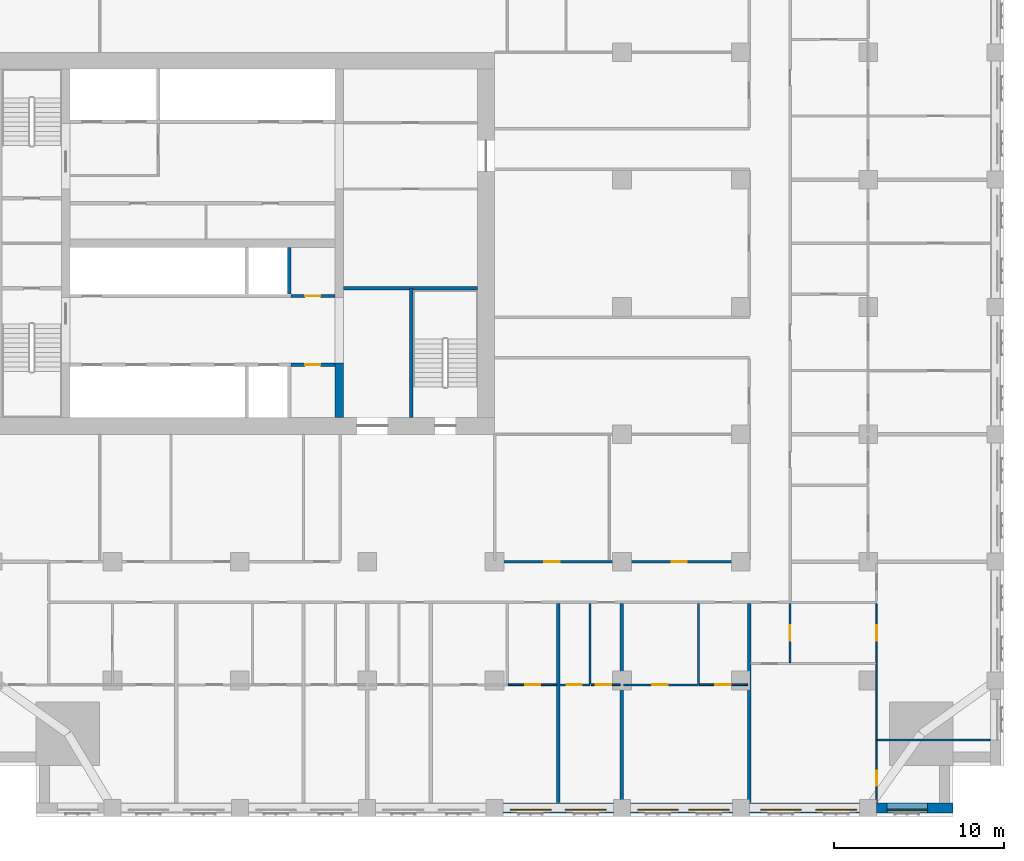
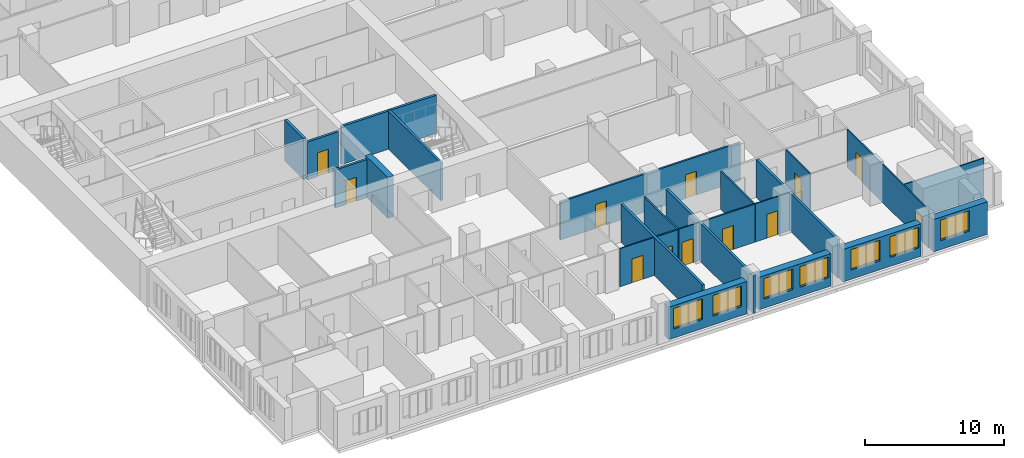
# One storey, part 6 of 14: 24 walls, 12 doors, 7 windows, 19 openings.
"""IFC4 building model written with IfcOpenShell, lengths in metres."""

from ifc_helpers import new_model, si_unit, direction, frame, frame_2d, origin, place, context, subcontext, project, spatial, rectangle, extrude, material, layer, layer_set, type_object, element, fill, save


model = new_model("IFC4")

# Units and contexts
model_context = context("Model", 3, precision=1e-05, world=origin(), true_north=direction((0.0, 1.0)))
body_context = subcontext(model_context, "Body", "Model", "MODEL_VIEW")
ifc_project = project(units=[si_unit("LENGTHUNIT", "METRE"), si_unit("AREAUNIT", "SQUARE_METRE"), si_unit("VOLUMEUNIT", "CUBIC_METRE"), si_unit("PLANEANGLEUNIT", "RADIAN"), si_unit("MASSUNIT", "GRAM", prefix="KILO")], contexts=[model_context])

# Site, building, storey
site_placement = place(None, origin())
site = spatial("IfcSite", under=ifc_project, at=site_placement, CompositionType="ELEMENT")
building_placement = place(site_placement, origin())
building = spatial("IfcBuilding", under=site, at=building_placement, Name="Tamorin Gate", CompositionType="ELEMENT")
storey_placement = place(building_placement, frame((0.0, 0.0, 104.300048828125)))
storey = spatial("IfcBuildingStorey", under=building, at=storey_placement, Name="L25", CompositionType="ELEMENT", Elevation=104.300048828125)

# Wall, openings, windows
ifc_material_1 = material(Name="Precast concrete C40/50", Category="concrete")
ifc_layer_1 = layer(ifc_material_1, 0.60009765625)
ifc_layer_set_1 = layer_set([ifc_layer_1], Name="Precast concrete C40/50")
wall_type_1 = type_object("IfcWallType", Name="Board-marked concrete facade panel 600", PredefinedType="SOLIDWALL", material=ifc_layer_set_1)
wall_1_placement = place(storey_placement, frame((60.5, 38.0, 0.0), z_axis=(0.0, 0.0, 1.0), x_axis=(1.0, 0.0, 0.0)))
wall_1 = element("IfcWall", 1, at=wall_1_placement, inside=storey, type_object=wall_type_1, Name="Facade panel", PredefinedType="SOLIDWALL", context=body_context, shape_type="SweptSolid", body=[
    extrude(rectangle(XDim=6.5, YDim=0.60009765625, at=frame_2d((3.25, 0.0))), origin(), (0.0, 0.0, 1.0), 2.849853515625),
])
opening_1_placement = place(wall_1_placement, frame((0.425048828125, 0.0, 0.800048828125)))
opening_1 = element("IfcOpeningElement", 2, at=opening_1_placement, cuts=wall_1, Name="Opening WN1", PredefinedType="OPENING", context=body_context, shape_type="SweptSolid", body=[
    extrude(rectangle(XDim=2.39990234375, YDim=1.800048828125, at=frame_2d((1.199951171875, 0.89990234375))), frame((0.0, 0.31005859375, 0.0), z_axis=(0.0, -1.0, 0.0), x_axis=(1.0, 0.0, 0.0)), (0.0, 0.0, 1.0), 0.6201171875),
])
opening_2_placement = place(wall_1_placement, frame((3.675048828125, 0.0, 0.800048828125)))
opening_2 = element("IfcOpeningElement", 3, at=opening_2_placement, cuts=wall_1, Name="Opening WN1", PredefinedType="OPENING", context=body_context, shape_type="SweptSolid", body=[
    extrude(rectangle(XDim=2.39990234375, YDim=1.800048828125, at=frame_2d((1.199951171875, 0.89990234375))), frame((0.0, 0.31005859375, 0.0), z_axis=(0.0, -1.0, 0.0), x_axis=(1.0, 0.0, 0.0)), (0.0, 0.0, 1.0), 0.6201171875),
])
ifc_material_2 = material(Name="Clear glass in aluminium frame", Category="aluminium")
window_type = type_object("IfcWindowType", Name="Deep-set window 2400x1800", PartitioningType="SINGLE_PANEL", PredefinedType="WINDOW", material=ifc_material_2)
window_1_placement = place(opening_1_placement, origin())
window_1 = element("IfcWindow", 4, at=window_1_placement, inside=storey, type_object=window_type, Name="Deep-set window", OverallHeight=1.800048828125, OverallWidth=2.39990234375, PartitioningType="SINGLE_PANEL", PredefinedType="WINDOW", context=body_context, shape_type="SweptSolid", body=[
    extrude(rectangle(XDim=2.39990234375, YDim=1.800048828125, at=frame_2d((1.199951171875, 0.89990234375))), frame((0.0, -0.070068359375, 0.0), z_axis=(0.0, -1.0, 0.0), x_axis=(1.0, 0.0, 0.0)), (0.0, 0.0, 1.0), 0.06005859375),
])
fill(opening_1, window_1)
window_2_placement = place(opening_2_placement, origin())
window_2 = element("IfcWindow", 5, at=window_2_placement, inside=storey, type_object=window_type, Name="Deep-set window", OverallHeight=1.800048828125, OverallWidth=2.39990234375, PartitioningType="SINGLE_PANEL", PredefinedType="WINDOW", context=body_context, shape_type="SweptSolid", body=[
    extrude(rectangle(XDim=2.39990234375, YDim=1.800048828125, at=frame_2d((1.199951171875, 0.89990234375))), frame((0.0, -0.070068359375, 0.0), z_axis=(0.0, -1.0, 0.0), x_axis=(1.0, 0.0, 0.0)), (0.0, 0.0, 1.0), 0.06005859375),
])
fill(opening_2, window_2)

wall_2_placement = place(storey_placement, frame((68.0, 38.0, 0.0), z_axis=(0.0, 0.0, 1.0), x_axis=(1.0, 0.0, 0.0)))
wall_2 = element("IfcWall", 6, at=wall_2_placement, inside=storey, type_object=wall_type_1, Name="Facade panel", PredefinedType="SOLIDWALL", context=body_context, shape_type="SweptSolid", body=[
    extrude(rectangle(XDim=6.0, YDim=0.60009765625, at=frame_2d((3.0, 0.0))), origin(), (0.0, 0.0, 1.0), 2.849853515625),
])
opening_3_placement = place(wall_2_placement, frame((0.425048828125, 0.0, 0.800048828125)))
opening_3 = element("IfcOpeningElement", 7, at=opening_3_placement, cuts=wall_2, Name="Opening WN1", PredefinedType="OPENING", context=body_context, shape_type="SweptSolid", body=[
    extrude(rectangle(XDim=2.39990234375, YDim=1.800048828125, at=frame_2d((1.199951171875, 0.89990234375))), frame((0.0, 0.31005859375, 0.0), z_axis=(0.0, -1.0, 0.0), x_axis=(1.0, 0.0, 0.0)), (0.0, 0.0, 1.0), 0.6201171875),
])
opening_4_placement = place(wall_2_placement, frame((3.425048828125, 0.0, 0.800048828125)))
opening_4 = element("IfcOpeningElement", 8, at=opening_4_placement, cuts=wall_2, Name="Opening WN1", PredefinedType="OPENING", context=body_context, shape_type="SweptSolid", body=[
    extrude(rectangle(XDim=2.39990234375, YDim=1.800048828125, at=frame_2d((1.199951171875, 0.89990234375))), frame((0.0, 0.31005859375, 0.0), z_axis=(0.0, -1.0, 0.0), x_axis=(1.0, 0.0, 0.0)), (0.0, 0.0, 1.0), 0.6201171875),
])
window_3_placement = place(opening_3_placement, origin())
window_3 = element("IfcWindow", 9, at=window_3_placement, inside=storey, type_object=window_type, Name="Deep-set window", OverallHeight=1.800048828125, OverallWidth=2.39990234375, PartitioningType="SINGLE_PANEL", PredefinedType="WINDOW", context=body_context, shape_type="SweptSolid", body=[
    extrude(rectangle(XDim=2.39990234375, YDim=1.800048828125, at=frame_2d((1.199951171875, 0.89990234375))), frame((0.0, -0.070068359375, 0.0), z_axis=(0.0, -1.0, 0.0), x_axis=(1.0, 0.0, 0.0)), (0.0, 0.0, 1.0), 0.06005859375),
])
fill(opening_3, window_3)
window_4_placement = place(opening_4_placement, origin())
window_4 = element("IfcWindow", 10, at=window_4_placement, inside=storey, type_object=window_type, Name="Deep-set window", OverallHeight=1.800048828125, OverallWidth=2.39990234375, PartitioningType="SINGLE_PANEL", PredefinedType="WINDOW", context=body_context, shape_type="SweptSolid", body=[
    extrude(rectangle(XDim=2.39990234375, YDim=1.800048828125, at=frame_2d((1.199951171875, 0.89990234375))), frame((0.0, -0.070068359375, 0.0), z_axis=(0.0, -1.0, 0.0), x_axis=(1.0, 0.0, 0.0)), (0.0, 0.0, 1.0), 0.06005859375),
])
fill(opening_4, window_4)

wall_3_placement = place(storey_placement, frame((75.0, 38.0, 0.0), z_axis=(0.0, 0.0, 1.0), x_axis=(1.0, 0.0, 0.0)))
wall_3 = element("IfcWall", 11, at=wall_3_placement, inside=storey, type_object=wall_type_1, Name="Facade panel", PredefinedType="SOLIDWALL", context=body_context, shape_type="SweptSolid", body=[
    extrude(rectangle(XDim=6.5, YDim=0.60009765625, at=frame_2d((3.25, 0.0))), origin(), (0.0, 0.0, 1.0), 2.849853515625),
])
opening_5_placement = place(wall_3_placement, frame((0.675048828125, 0.0, 0.800048828125)))
opening_5 = element("IfcOpeningElement", 12, at=opening_5_placement, cuts=wall_3, Name="Opening WN1", PredefinedType="OPENING", context=body_context, shape_type="SweptSolid", body=[
    extrude(rectangle(XDim=2.39990234375, YDim=1.800048828125, at=frame_2d((1.199951171875, 0.89990234375))), frame((0.0, 0.31005859375, 0.0), z_axis=(0.0, -1.0, 0.0), x_axis=(1.0, 0.0, 0.0)), (0.0, 0.0, 1.0), 0.6201171875),
])
opening_6_placement = place(wall_3_placement, frame((3.925048828125, 0.0, 0.800048828125)))
opening_6 = element("IfcOpeningElement", 13, at=opening_6_placement, cuts=wall_3, Name="Opening WN1", PredefinedType="OPENING", context=body_context, shape_type="SweptSolid", body=[
    extrude(rectangle(XDim=2.39990234375, YDim=1.800048828125, at=frame_2d((1.199951171875, 0.89990234375))), frame((0.0, 0.31005859375, 0.0), z_axis=(0.0, -1.0, 0.0), x_axis=(1.0, 0.0, 0.0)), (0.0, 0.0, 1.0), 0.6201171875),
])
window_5_placement = place(opening_5_placement, origin())
window_5 = element("IfcWindow", 14, at=window_5_placement, inside=storey, type_object=window_type, Name="Deep-set window", OverallHeight=1.800048828125, OverallWidth=2.39990234375, PartitioningType="SINGLE_PANEL", PredefinedType="WINDOW", context=body_context, shape_type="SweptSolid", body=[
    extrude(rectangle(XDim=2.39990234375, YDim=1.800048828125, at=frame_2d((1.199951171875, 0.89990234375))), frame((0.0, -0.070068359375, 0.0), z_axis=(0.0, -1.0, 0.0), x_axis=(1.0, 0.0, 0.0)), (0.0, 0.0, 1.0), 0.06005859375),
])
fill(opening_5, window_5)
window_6_placement = place(opening_6_placement, origin())
window_6 = element("IfcWindow", 15, at=window_6_placement, inside=storey, type_object=window_type, Name="Deep-set window", OverallHeight=1.800048828125, OverallWidth=2.39990234375, PartitioningType="SINGLE_PANEL", PredefinedType="WINDOW", context=body_context, shape_type="SweptSolid", body=[
    extrude(rectangle(XDim=2.39990234375, YDim=1.800048828125, at=frame_2d((1.199951171875, 0.89990234375))), frame((0.0, -0.070068359375, 0.0), z_axis=(0.0, -1.0, 0.0), x_axis=(1.0, 0.0, 0.0)), (0.0, 0.0, 1.0), 0.06005859375),
])
fill(opening_6, window_6)

# Wall, opening, window
wall_4_placement = place(storey_placement, frame((82.5, 38.0, 0.0), z_axis=(0.0, 0.0, 1.0), x_axis=(1.0, 0.0, 0.0)))
wall_4 = element("IfcWall", 16, at=wall_4_placement, inside=storey, type_object=wall_type_1, Name="Facade panel", PredefinedType="SOLIDWALL", context=body_context, shape_type="SweptSolid", body=[
    extrude(rectangle(XDim=4.5, YDim=0.60009765625, at=frame_2d((2.25, 0.0))), origin(), (0.0, 0.0, 1.0), 2.849853515625),
])
opening_7_placement = place(wall_4_placement, frame((0.60009765625, 0.0, 0.800048828125)))
opening_7 = element("IfcOpeningElement", 17, at=opening_7_placement, cuts=wall_4, Name="Opening WN1", PredefinedType="OPENING", context=body_context, shape_type="SweptSolid", body=[
    extrude(rectangle(XDim=2.39990234375, YDim=1.800048828125, at=frame_2d((1.199951171875, 0.89990234375))), frame((0.0, 0.31005859375, 0.0), z_axis=(0.0, -1.0, 0.0), x_axis=(1.0, 0.0, 0.0)), (0.0, 0.0, 1.0), 0.6201171875),
])
window_7_placement = place(opening_7_placement, origin())
window_7 = element("IfcWindow", 18, at=window_7_placement, inside=storey, type_object=window_type, Name="Deep-set window", OverallHeight=1.800048828125, OverallWidth=2.39990234375, PartitioningType="SINGLE_PANEL", PredefinedType="WINDOW", context=body_context, shape_type="SweptSolid", body=[
    extrude(rectangle(XDim=2.39990234375, YDim=1.800048828125, at=frame_2d((1.199951171875, 0.89990234375))), frame((0.0, -0.070068359375, 0.0), z_axis=(0.0, -1.0, 0.0), x_axis=(1.0, 0.0, 0.0)), (0.0, 0.0, 1.0), 0.06005859375),
])
fill(opening_7, window_7)

# Wall, openings, doors
ifc_material_3 = material(Name="Gypsum board partition")
ifc_layer_2 = layer(ifc_material_3, 0.14990234375)
ifc_layer_set_2 = layer_set([ifc_layer_2], Name="Corridor wall 150")
wall_type_2 = type_object("IfcWallType", Name="Corridor wall 150", PredefinedType="PARTITIONING", material=ifc_layer_set_2)
wall_5_placement = place(storey_placement, frame((60.0, 52.5, 0.0), z_axis=(0.0, 0.0, 1.0), x_axis=(1.0, 0.0, 0.0)))
wall_5 = element("IfcWall", 19, at=wall_5_placement, inside=storey, type_object=wall_type_2, Name="Corridor wall 150", PredefinedType="PARTITIONING", context=body_context, shape_type="SweptSolid", body=[
    extrude(rectangle(XDim=15.0, YDim=0.14990234375, at=frame_2d((7.5, 0.0))), origin(), (0.0, 0.0, 1.0), 3.349853515625),
])
opening_8_placement = place(wall_5_placement, frame((2.925048828125, 0.0, 0.0)))
opening_8 = element("IfcOpeningElement", 20, at=opening_8_placement, cuts=wall_5, Name="Opening DH8076", PredefinedType="OPENING", context=body_context, shape_type="SweptSolid", body=[
    extrude(rectangle(XDim=0.89990234375, YDim=2.10009765625, at=frame_2d((0.449951171875, 1.050048828125))), frame((0.0, 0.0849609375, 0.0), z_axis=(0.0, -1.0, 0.0), x_axis=(1.0, 0.0, 0.0)), (0.0, 0.0, 1.0), 0.169921875),
])
opening_9_placement = place(wall_5_placement, frame((10.425048828125, 0.0, 0.0)))
opening_9 = element("IfcOpeningElement", 21, at=opening_9_placement, cuts=wall_5, Name="Opening DH8077", PredefinedType="OPENING", context=body_context, shape_type="SweptSolid", body=[
    extrude(rectangle(XDim=0.89990234375, YDim=2.10009765625, at=frame_2d((0.449951171875, 1.050048828125))), frame((0.0, 0.0849609375, 0.0), z_axis=(0.0, -1.0, 0.0), x_axis=(1.0, 0.0, 0.0)), (0.0, 0.0, 1.0), 0.169921875),
])
ifc_material_4 = material(Name="Timber door leaf", Category="wood")
door_type_1 = type_object("IfcDoorType", Name="Door 900 x 2100 FD30S", OperationType="NOTDEFINED", PredefinedType="DOOR", material=ifc_material_4)
door_1_placement = place(opening_8_placement, origin())
door_1 = element("IfcDoor", 22, at=door_1_placement, inside=storey, type_object=door_type_1, Name="Door DH8076", OperationType="SINGLE_SWING_LEFT", OverallHeight=2.10009765625, OverallWidth=0.89990234375, PredefinedType="DOOR", context=body_context, shape_type="SweptSolid", body=[
    extrude(rectangle(XDim=0.89990234375, YDim=2.10009765625, at=frame_2d((0.449951171875, 1.050048828125))), frame((0.0, 0.02490234375, 0.0), z_axis=(0.0, -1.0, 0.0), x_axis=(1.0, 0.0, 0.0)), (0.0, 0.0, 1.0), 0.050048828125),
])
fill(opening_8, door_1)
door_2_placement = place(opening_9_placement, origin())
door_2 = element("IfcDoor", 23, at=door_2_placement, inside=storey, type_object=door_type_1, Name="Door DH8077", OperationType="SINGLE_SWING_LEFT", OverallHeight=2.10009765625, OverallWidth=0.89990234375, PredefinedType="DOOR", context=body_context, shape_type="SweptSolid", body=[
    extrude(rectangle(XDim=0.89990234375, YDim=2.10009765625, at=frame_2d((0.449951171875, 1.050048828125))), frame((0.0, 0.02490234375, 0.0), z_axis=(0.0, -1.0, 0.0), x_axis=(1.0, 0.0, 0.0)), (0.0, 0.0, 1.0), 0.050048828125),
])
fill(opening_9, door_2)

# Walls
ifc_layer_3 = layer(ifc_material_3, 0.199951171875)
ifc_layer_set_3 = layer_set([ifc_layer_3], Name="Demising wall 200")
wall_type_3 = type_object("IfcWallType", Name="Demising wall 200", PredefinedType="PARTITIONING", material=ifc_layer_set_3)
wall_6_placement = place(storey_placement, frame((63.75, 38.31005859375, 0.0), z_axis=(0.0, 0.0, 1.0), x_axis=(0.0, 1.0, 0.0)))
element("IfcWall", 24, at=wall_6_placement, inside=storey, type_object=wall_type_3, Name="Demising wall 200", PredefinedType="PARTITIONING", context=body_context, shape_type="SweptSolid", body=[
    extrude(rectangle(XDim=11.71484375, YDim=0.199951171875, at=frame_2d((5.857421875, 0.0))), origin(), (0.0, 0.0, 1.0), 3.349853515625),
])
wall_7_placement = place(storey_placement, frame((67.5, 37.5, 0.0), z_axis=(0.0, 0.0, 1.0), x_axis=(0.0, 1.0, 0.0)))
element("IfcWall", 25, at=wall_7_placement, inside=storey, type_object=wall_type_3, Name="Demising wall 200", PredefinedType="PARTITIONING", context=body_context, shape_type="SweptSolid", body=[
    extrude(rectangle(XDim=12.52490234375, YDim=0.199951171875, at=frame_2d((6.262451171875, 0.0))), origin(), (0.0, 0.0, 1.0), 3.349853515625),
])
wall_8_placement = place(storey_placement, frame((75.0, 38.31005859375, 0.0), z_axis=(0.0, 0.0, 1.0), x_axis=(0.0, 1.0, 0.0)))
element("IfcWall", 26, at=wall_8_placement, inside=storey, type_object=wall_type_3, Name="Demising wall 200", PredefinedType="PARTITIONING", context=body_context, shape_type="SweptSolid", body=[
    extrude(rectangle(XDim=11.71484375, YDim=0.199951171875, at=frame_2d((5.857421875, 0.0))), origin(), (0.0, 0.0, 1.0), 3.349853515625),
])
ifc_material_5 = material(Name="Concrete C32/40", Category="concrete")
ifc_layer_4 = layer(ifc_material_5, 0.199951171875)
ifc_layer_set_4 = layer_set([ifc_layer_4], Name="Lift shaft wall 200 EI 120")
wall_type_4 = type_object("IfcWallType", Name="Lift shaft wall 200 EI 120", PredefinedType="SOLIDWALL", material=ifc_layer_set_4)
wall_9_placement = place(storey_placement, frame((47.89990234375, 68.25, 0.0), z_axis=(0.0, 0.0, 1.0), x_axis=(0.0, 1.0, 0.0)))
element("IfcWall", 27, at=wall_9_placement, inside=storey, type_object=wall_type_4, Name="Lift shaft wall", PredefinedType="SOLIDWALL", context=body_context, shape_type="SweptSolid", body=[
    extrude(rectangle(XDim=2.75, YDim=0.199951171875, at=frame_2d((1.375, 0.0))), origin(), (0.0, 0.0, 1.0), 3.599853515625),
])
ifc_material_6 = material(Name="Concrete C80/95", Category="concrete")
ifc_layer_5 = layer(ifc_material_6, 0.5)
ifc_layer_set_5 = layer_set([ifc_layer_5], Name="RC core internal wall 500 C80/95")
wall_type_5 = type_object("IfcWallType", Name="RC core internal wall 500 C80/95", PredefinedType="SHEAR", material=ifc_layer_set_5)
wall_10_placement = place(storey_placement, frame((50.85009765625, 61.0, 0.0), z_axis=(0.0, 0.0, 1.0), x_axis=(0.0, 1.0, 0.0)))
element("IfcWall", 28, at=wall_10_placement, inside=storey, type_object=wall_type_5, Name="Core cross wall L25", PredefinedType="SHEAR", context=body_context, shape_type="SweptSolid", body=[
    extrude(rectangle(XDim=3.199951171875, YDim=0.5, at=frame_2d((1.60009765625, 0.0))), origin(), (0.0, 0.0, 1.0), 3.599853515625),
])
ifc_layer_6 = layer(ifc_material_3, 0.10009765625)
ifc_layer_set_6 = layer_set([ifc_layer_6], Name="Room partition 100")
wall_type_6 = type_object("IfcWallType", Name="Room partition 100", PredefinedType="PARTITIONING", material=ifc_layer_set_6)
wall_11_placement = place(storey_placement, frame((82.550048828125, 42.0, 0.0), z_axis=(0.0, 0.0, 1.0), x_axis=(1.0, 0.0, 0.0)))
element("IfcWall", 29, at=wall_11_placement, inside=storey, type_object=wall_type_6, Name="Room partition 100", PredefinedType="PARTITIONING", context=body_context, shape_type="SweptSolid", body=[
    extrude(rectangle(XDim=6.639892578125, YDim=0.10009765625, at=frame_2d((3.31982421875, 0.0))), origin(), (0.0, 0.0, 1.0), 3.349853515625),
])

# Wall, opening, door
wall_12_placement = place(storey_placement, frame((60.8125, 45.25, 0.0), z_axis=(0.0, 0.0, 1.0), x_axis=(1.0, 0.0, 0.0)))
wall_12 = element("IfcWall", 30, at=wall_12_placement, inside=storey, type_object=wall_type_6, Name="Room partition 100", PredefinedType="PARTITIONING", context=body_context, shape_type="SweptSolid", body=[
    extrude(rectangle(XDim=2.83740234375, YDim=0.10009765625, at=frame_2d((1.418701171875, 0.0))), origin(), (0.0, 0.0, 1.0), 3.349853515625),
])
opening_10_placement = place(wall_12_placement, frame((0.987548828125, 0.0, 0.0)))
opening_10 = element("IfcOpeningElement", 31, at=opening_10_placement, cuts=wall_12, Name="Opening DH8016", PredefinedType="OPENING", context=body_context, shape_type="SweptSolid", body=[
    extrude(rectangle(XDim=0.89990234375, YDim=2.10009765625, at=frame_2d((0.449951171875, 1.050048828125))), frame((0.0, 0.06005859375, 0.0), z_axis=(0.0, -1.0, 0.0), x_axis=(1.0, 0.0, 0.0)), (0.0, 0.0, 1.0), 0.1201171875),
])
door_type_2 = type_object("IfcDoorType", Name="Door 900 x 2100", OperationType="NOTDEFINED", PredefinedType="DOOR", material=ifc_material_4)
door_3_placement = place(opening_10_placement, origin())
door_3 = element("IfcDoor", 32, at=door_3_placement, inside=storey, type_object=door_type_2, Name="Door DH8016", OperationType="SINGLE_SWING_LEFT", OverallHeight=2.10009765625, OverallWidth=0.89990234375, PredefinedType="DOOR", context=body_context, shape_type="SweptSolid", body=[
    extrude(rectangle(XDim=0.89990234375, YDim=2.10009765625, at=frame_2d((0.449951171875, 1.050048828125))), frame((0.0, 0.02490234375, 0.0), z_axis=(0.0, -1.0, 0.0), x_axis=(1.0, 0.0, 0.0)), (0.0, 0.0, 1.0), 0.050048828125),
])
fill(opening_10, door_3)

wall_13_placement = place(storey_placement, frame((65.6875, 45.25, 0.0), z_axis=(0.0, 0.0, 1.0), x_axis=(1.0, 0.0, 0.0)))
wall_13 = element("IfcWall", 33, at=wall_13_placement, inside=storey, type_object=wall_type_6, Name="Room partition 100", PredefinedType="PARTITIONING", context=body_context, shape_type="SweptSolid", body=[
    extrude(rectangle(XDim=1.71240234375, YDim=0.10009765625, at=frame_2d((0.856201171875, 0.0))), origin(), (0.0, 0.0, 1.0), 3.349853515625),
])
opening_11_placement = place(wall_13_placement, frame((0.27490234375, 0.0, 0.0)))
opening_11 = element("IfcOpeningElement", 34, at=opening_11_placement, cuts=wall_13, Name="Opening DH8019", PredefinedType="OPENING", context=body_context, shape_type="SweptSolid", body=[
    extrude(rectangle(XDim=0.89990234375, YDim=2.10009765625, at=frame_2d((0.449951171875, 1.050048828125))), frame((0.0, 0.06005859375, 0.0), z_axis=(0.0, -1.0, 0.0), x_axis=(1.0, 0.0, 0.0)), (0.0, 0.0, 1.0), 0.1201171875),
])
door_4_placement = place(opening_11_placement, origin())
door_4 = element("IfcDoor", 35, at=door_4_placement, inside=storey, type_object=door_type_2, Name="Door DH8019", OperationType="SINGLE_SWING_LEFT", OverallHeight=2.10009765625, OverallWidth=0.89990234375, PredefinedType="DOOR", context=body_context, shape_type="SweptSolid", body=[
    extrude(rectangle(XDim=0.89990234375, YDim=2.10009765625, at=frame_2d((0.449951171875, 1.050048828125))), frame((0.0, 0.02490234375, 0.0), z_axis=(0.0, -1.0, 0.0), x_axis=(1.0, 0.0, 0.0)), (0.0, 0.0, 1.0), 0.050048828125),
])
fill(opening_11, door_4)

wall_14_placement = place(storey_placement, frame((72.0625, 45.25, 0.0), z_axis=(0.0, 0.0, 1.0), x_axis=(1.0, 0.0, 0.0)))
wall_14 = element("IfcWall", 36, at=wall_14_placement, inside=storey, type_object=wall_type_6, Name="Room partition 100", PredefinedType="PARTITIONING", context=body_context, shape_type="SweptSolid", body=[
    extrude(rectangle(XDim=2.83740234375, YDim=0.10009765625, at=frame_2d((1.418701171875, 0.0))), origin(), (0.0, 0.0, 1.0), 3.349853515625),
])
opening_12_placement = place(wall_14_placement, frame((0.9375, 0.0, 0.0)))
opening_12 = element("IfcOpeningElement", 37, at=opening_12_placement, cuts=wall_14, Name="Opening DH8022", PredefinedType="OPENING", context=body_context, shape_type="SweptSolid", body=[
    extrude(rectangle(XDim=0.89990234375, YDim=2.10009765625, at=frame_2d((0.449951171875, 1.050048828125))), frame((0.0, 0.06005859375, 0.0), z_axis=(0.0, -1.0, 0.0), x_axis=(1.0, 0.0, 0.0)), (0.0, 0.0, 1.0), 0.1201171875),
])
door_5_placement = place(opening_12_placement, origin())
door_5 = element("IfcDoor", 38, at=door_5_placement, inside=storey, type_object=door_type_2, Name="Door DH8022", OperationType="SINGLE_SWING_LEFT", OverallHeight=2.10009765625, OverallWidth=0.89990234375, PredefinedType="DOOR", context=body_context, shape_type="SweptSolid", body=[
    extrude(rectangle(XDim=0.89990234375, YDim=2.10009765625, at=frame_2d((0.449951171875, 1.050048828125))), frame((0.0, 0.02490234375, 0.0), z_axis=(0.0, -1.0, 0.0), x_axis=(1.0, 0.0, 0.0)), (0.0, 0.0, 1.0), 0.050048828125),
])
fill(opening_12, door_5)

wall_15_placement = place(storey_placement, frame((77.39990234375, 46.550048828125, 0.0), z_axis=(0.0, 0.0, 1.0), x_axis=(0.0, 1.0, 0.0)))
wall_15 = element("IfcWall", 39, at=wall_15_placement, inside=storey, type_object=wall_type_6, Name="Room partition 100", PredefinedType="PARTITIONING", context=body_context, shape_type="SweptSolid", body=[
    extrude(rectangle(XDim=3.474853515625, YDim=0.10009765625, at=frame_2d((1.7373046875, 0.0))), origin(), (0.0, 0.0, 1.0), 3.349853515625),
])
opening_13_placement = place(wall_15_placement, frame((1.300048828125, 0.0, 0.0)))
opening_13 = element("IfcOpeningElement", 40, at=opening_13_placement, cuts=wall_15, Name="Opening DH8062", PredefinedType="OPENING", context=body_context, shape_type="SweptSolid", body=[
    extrude(rectangle(XDim=0.89990234375, YDim=2.10009765625, at=frame_2d((0.449951171875, 1.050048828125))), frame((0.0, 0.06005859375, 0.0), z_axis=(0.0, -1.0, 0.0), x_axis=(1.0, 0.0, 0.0)), (0.0, 0.0, 1.0), 0.1201171875),
])
door_6_placement = place(opening_13_placement, origin())
door_6 = element("IfcDoor", 41, at=door_6_placement, inside=storey, type_object=door_type_2, Name="Door DH8062", OperationType="SINGLE_SWING_RIGHT", OverallHeight=2.10009765625, OverallWidth=0.89990234375, PredefinedType="DOOR", context=body_context, shape_type="SweptSolid", body=[
    extrude(rectangle(XDim=0.89990234375, YDim=2.10009765625, at=frame_2d((0.449951171875, 1.050048828125))), frame((0.0, 0.02490234375, 0.0), z_axis=(0.0, -1.0, 0.0), x_axis=(1.0, 0.0, 0.0)), (0.0, 0.0, 1.0), 0.050048828125),
])
fill(opening_13, door_6)

# Wall, openings, doors
wall_16_placement = place(storey_placement, frame((82.5, 38.31005859375, 0.0), z_axis=(0.0, 0.0, 1.0), x_axis=(0.0, 1.0, 0.0)))
wall_16 = element("IfcWall", 42, at=wall_16_placement, inside=storey, type_object=wall_type_6, Name="Room partition 100", PredefinedType="PARTITIONING", context=body_context, shape_type="SweptSolid", body=[
    extrude(rectangle(XDim=11.7275390625, YDim=0.10009765625, at=frame_2d((5.86376953125, 0.0))), origin(), (0.0, 0.0, 1.0), 3.349853515625),
])
opening_14_placement = place(wall_16_placement, frame((0.989990234375, 0.0, 0.0)))
opening_14 = element("IfcOpeningElement", 43, at=opening_14_placement, cuts=wall_16, Name="Opening DH8063", PredefinedType="OPENING", context=body_context, shape_type="SweptSolid", body=[
    extrude(rectangle(XDim=0.89990234375, YDim=2.10009765625, at=frame_2d((0.449951171875, 1.050048828125))), frame((0.0, 0.06005859375, 0.0), z_axis=(0.0, -1.0, 0.0), x_axis=(1.0, 0.0, 0.0)), (0.0, 0.0, 1.0), 0.1201171875),
])
opening_15_placement = place(wall_16_placement, frame((9.5400390625, 0.0, 0.0)))
opening_15 = element("IfcOpeningElement", 44, at=opening_15_placement, cuts=wall_16, Name="Opening DH8064", PredefinedType="OPENING", context=body_context, shape_type="SweptSolid", body=[
    extrude(rectangle(XDim=0.89990234375, YDim=2.10009765625, at=frame_2d((0.449951171875, 1.050048828125))), frame((0.0, 0.06005859375, 0.0), z_axis=(0.0, -1.0, 0.0), x_axis=(1.0, 0.0, 0.0)), (0.0, 0.0, 1.0), 0.1201171875),
])
door_7_placement = place(opening_14_placement, origin())
door_7 = element("IfcDoor", 45, at=door_7_placement, inside=storey, type_object=door_type_2, Name="Door DH8063", OperationType="SINGLE_SWING_LEFT", OverallHeight=2.10009765625, OverallWidth=0.89990234375, PredefinedType="DOOR", context=body_context, shape_type="SweptSolid", body=[
    extrude(rectangle(XDim=0.89990234375, YDim=2.10009765625, at=frame_2d((0.449951171875, 1.050048828125))), frame((0.0, 0.02490234375, 0.0), z_axis=(0.0, -1.0, 0.0), x_axis=(1.0, 0.0, 0.0)), (0.0, 0.0, 1.0), 0.050048828125),
])
fill(opening_14, door_7)
door_8_placement = place(opening_15_placement, origin())
door_8 = element("IfcDoor", 46, at=door_8_placement, inside=storey, type_object=door_type_2, Name="Door DH8064", OperationType="SINGLE_SWING_RIGHT", OverallHeight=2.10009765625, OverallWidth=0.89990234375, PredefinedType="DOOR", context=body_context, shape_type="SweptSolid", body=[
    extrude(rectangle(XDim=0.89990234375, YDim=2.10009765625, at=frame_2d((0.449951171875, 1.050048828125))), frame((0.0, 0.02490234375, 0.0), z_axis=(0.0, -1.0, 0.0), x_axis=(1.0, 0.0, 0.0)), (0.0, 0.0, 1.0), 0.050048828125),
])
fill(opening_15, door_8)

# Wall, opening, door
ifc_layer_7 = layer(ifc_material_3, 0.199951171875)
ifc_layer_set_7 = layer_set([ifc_layer_7], Name="Service room face wall 200 EI 60")
wall_type_7 = type_object("IfcWallType", Name="Service room face wall 200 EI 60", PredefinedType="PARTITIONING", material=ifc_layer_set_7)
wall_17_placement = place(storey_placement, frame((48.0, 64.10009765625, 0.0), z_axis=(0.0, 0.0, 1.0), x_axis=(1.0, 0.0, 0.0)))
wall_17 = element("IfcWall", 47, at=wall_17_placement, inside=storey, type_object=wall_type_7, Name="Service room face wall", PredefinedType="PARTITIONING", context=body_context, shape_type="SweptSolid", body=[
    extrude(rectangle(XDim=2.60009765625, YDim=0.199951171875, at=frame_2d((1.300048828125, 0.0))), origin(), (0.0, 0.0, 1.0), 3.349853515625),
])
opening_16_placement = place(wall_17_placement, frame((0.85009765625, 0.0, 0.0)))
opening_16 = element("IfcOpeningElement", 48, at=opening_16_placement, cuts=wall_17, Name="Opening DK1", PredefinedType="OPENING", context=body_context, shape_type="SweptSolid", body=[
    extrude(rectangle(XDim=0.89990234375, YDim=2.10009765625, at=frame_2d((0.449951171875, 1.050048828125))), frame((0.0, 0.10986328125, 0.0), z_axis=(0.0, -1.0, 0.0), x_axis=(1.0, 0.0, 0.0)), (0.0, 0.0, 1.0), 0.219970703125),
])
ifc_material_7 = material(Name="Timber fire door", Category="wood")
door_type_3 = type_object("IfcDoorType", Name="Service room door 900 x 2100 EI 60", OperationType="SINGLE_SWING_LEFT", PredefinedType="DOOR", material=ifc_material_7)
door_9_placement = place(opening_16_placement, origin())
door_9 = element("IfcDoor", 49, at=door_9_placement, inside=storey, type_object=door_type_3, Name="Door Housekeeping store", OperationType="SINGLE_SWING_LEFT", OverallHeight=2.10009765625, OverallWidth=0.89990234375, PredefinedType="DOOR", context=body_context, shape_type="SweptSolid", body=[
    extrude(rectangle(XDim=0.89990234375, YDim=2.10009765625, at=frame_2d((0.449951171875, 1.050048828125))), frame((0.0, 0.02490234375, 0.0), z_axis=(0.0, -1.0, 0.0), x_axis=(1.0, 0.0, 0.0)), (0.0, 0.0, 1.0), 0.050048828125),
])
fill(opening_16, door_9)

wall_18_placement = place(storey_placement, frame((48.0, 68.14990234375, 0.0), z_axis=(0.0, 0.0, 1.0), x_axis=(1.0, 0.0, 0.0)))
wall_18 = element("IfcWall", 50, at=wall_18_placement, inside=storey, type_object=wall_type_7, Name="Service room face wall", PredefinedType="PARTITIONING", context=body_context, shape_type="SweptSolid", body=[
    extrude(rectangle(XDim=2.60009765625, YDim=0.199951171875, at=frame_2d((1.300048828125, 0.0))), origin(), (0.0, 0.0, 1.0), 3.349853515625),
])
opening_17_placement = place(wall_18_placement, frame((0.85009765625, 0.0, 0.0)))
opening_17 = element("IfcOpeningElement", 51, at=opening_17_placement, cuts=wall_18, Name="Opening DK1", PredefinedType="OPENING", context=body_context, shape_type="SweptSolid", body=[
    extrude(rectangle(XDim=0.89990234375, YDim=2.10009765625, at=frame_2d((0.449951171875, 1.050048828125))), frame((0.0, 0.10986328125, 0.0), z_axis=(0.0, -1.0, 0.0), x_axis=(1.0, 0.0, 0.0)), (0.0, 0.0, 1.0), 0.219970703125),
])
door_10_placement = place(opening_17_placement, origin())
door_10 = element("IfcDoor", 52, at=door_10_placement, inside=storey, type_object=door_type_3, Name="Door Linen store", OperationType="SINGLE_SWING_LEFT", OverallHeight=2.10009765625, OverallWidth=0.89990234375, PredefinedType="DOOR", context=body_context, shape_type="SweptSolid", body=[
    extrude(rectangle(XDim=0.89990234375, YDim=2.10009765625, at=frame_2d((0.449951171875, 1.050048828125))), frame((0.0, 0.02490234375, 0.0), z_axis=(0.0, -1.0, 0.0), x_axis=(1.0, 0.0, 0.0)), (0.0, 0.0, 1.0), 0.050048828125),
])
fill(opening_17, door_10)

# Walls
ifc_material_8 = material(Name="Concrete C40/50", Category="concrete")
ifc_layer_8 = layer(ifc_material_8, 0.199951171875)
ifc_layer_set_8 = layer_set([ifc_layer_8], Name="Stair enclosure wall 200 EI 120 C40/50")
wall_type_8 = type_object("IfcWallType", Name="Stair enclosure wall 200 EI 120 C40/50", PredefinedType="SOLIDWALL", material=ifc_layer_set_8)
wall_19_placement = place(storey_placement, frame((55.10009765625, 61.0, 0.0), z_axis=(0.0, 0.0, 1.0), x_axis=(0.0, 1.0, 0.0)))
element("IfcWall", 53, at=wall_19_placement, inside=storey, type_object=wall_type_8, Name="Stair enclosure wall", PredefinedType="SOLIDWALL", context=body_context, shape_type="SweptSolid", body=[
    extrude(rectangle(XDim=7.60009765625, YDim=0.199951171875, at=frame_2d((3.800048828125, 0.0))), origin(), (0.0, 0.0, 1.0), 3.349853515625),
])
wall_20_placement = place(storey_placement, frame((51.10009765625, 68.60009765625, 0.0), z_axis=(0.0, 0.0, 1.0), x_axis=(1.0, 0.0, 0.0)))
element("IfcWall", 54, at=wall_20_placement, inside=storey, type_object=wall_type_8, Name="Stair enclosure wall", PredefinedType="SOLIDWALL", context=body_context, shape_type="SweptSolid", body=[
    extrude(rectangle(XDim=7.89990234375, YDim=0.199951171875, at=frame_2d((3.949951171875, 0.0))), origin(), (0.0, 0.0, 1.0), 3.349853515625),
])

# Wall, opening, door
ifc_layer_9 = layer(ifc_material_3, 0.125)
ifc_layer_set_9 = layer_set([ifc_layer_9], Name="Wet wall 125")
wall_type_9 = type_object("IfcWallType", Name="Wet wall 125", PredefinedType="PARTITIONING", material=ifc_layer_set_9)
wall_21_placement = place(storey_placement, frame((63.85009765625, 45.25, 0.0), z_axis=(0.0, 0.0, 1.0), x_axis=(1.0, 0.0, 0.0)))
wall_21 = element("IfcWall", 55, at=wall_21_placement, inside=storey, type_object=wall_type_9, Name="Wet wall 125", PredefinedType="PARTITIONING", context=body_context, shape_type="SweptSolid", body=[
    extrude(rectangle(XDim=1.77490234375, YDim=0.125, at=frame_2d((0.887451171875, 0.0))), origin(), (0.0, 0.0, 1.0), 3.349853515625),
])
opening_18_placement = place(wall_21_placement, frame((0.387451171875, 0.0, 0.0)))
opening_18 = element("IfcOpeningElement", 56, at=opening_18_placement, cuts=wall_21, Name="Opening DH8017", PredefinedType="OPENING", context=body_context, shape_type="SweptSolid", body=[
    extrude(rectangle(XDim=0.89990234375, YDim=2.10009765625, at=frame_2d((0.449951171875, 1.050048828125))), frame((0.0, 0.072509765625, 0.0), z_axis=(0.0, -1.0, 0.0), x_axis=(1.0, 0.0, 0.0)), (0.0, 0.0, 1.0), 0.14501953125),
])
door_11_placement = place(opening_18_placement, origin())
door_11 = element("IfcDoor", 57, at=door_11_placement, inside=storey, type_object=door_type_2, Name="Door DH8017", OperationType="SINGLE_SWING_LEFT", OverallHeight=2.10009765625, OverallWidth=0.89990234375, PredefinedType="DOOR", context=body_context, shape_type="SweptSolid", body=[
    extrude(rectangle(XDim=0.89990234375, YDim=2.10009765625, at=frame_2d((0.449951171875, 1.050048828125))), frame((0.0, 0.02490234375, 0.0), z_axis=(0.0, -1.0, 0.0), x_axis=(1.0, 0.0, 0.0)), (0.0, 0.0, 1.0), 0.050048828125),
])
fill(opening_18, door_11)

wall_22_placement = place(storey_placement, frame((67.60009765625, 45.25, 0.0), z_axis=(0.0, 0.0, 1.0), x_axis=(1.0, 0.0, 0.0)))
wall_22 = element("IfcWall", 58, at=wall_22_placement, inside=storey, type_object=wall_type_9, Name="Wet wall 125", PredefinedType="PARTITIONING", context=body_context, shape_type="SweptSolid", body=[
    extrude(rectangle(XDim=4.39990234375, YDim=0.125, at=frame_2d((2.199951171875, 0.0))), origin(), (0.0, 0.0, 1.0), 3.349853515625),
])
opening_19_placement = place(wall_22_placement, frame((1.699951171875, 0.0, 0.0)))
opening_19 = element("IfcOpeningElement", 59, at=opening_19_placement, cuts=wall_22, Name="Opening DH8020", PredefinedType="OPENING", context=body_context, shape_type="SweptSolid", body=[
    extrude(rectangle(XDim=0.89990234375, YDim=2.10009765625, at=frame_2d((0.449951171875, 1.050048828125))), frame((0.0, 0.072509765625, 0.0), z_axis=(0.0, -1.0, 0.0), x_axis=(1.0, 0.0, 0.0)), (0.0, 0.0, 1.0), 0.14501953125),
])
door_12_placement = place(opening_19_placement, origin())
door_12 = element("IfcDoor", 60, at=door_12_placement, inside=storey, type_object=door_type_2, Name="Door DH8020", OperationType="SINGLE_SWING_LEFT", OverallHeight=2.10009765625, OverallWidth=0.89990234375, PredefinedType="DOOR", context=body_context, shape_type="SweptSolid", body=[
    extrude(rectangle(XDim=0.89990234375, YDim=2.10009765625, at=frame_2d((0.449951171875, 1.050048828125))), frame((0.0, 0.02490234375, 0.0), z_axis=(0.0, -1.0, 0.0), x_axis=(1.0, 0.0, 0.0)), (0.0, 0.0, 1.0), 0.050048828125),
])
fill(opening_19, door_12)

# Walls
for number, where, z_axis, x_axis, name in (
    (61, (65.625, 45.3125, 0.0), (0.0, 0.0, 1.0), (0.0, 1.0, 0.0), "Wet wall 125"),
    (62, (72.0, 45.3125, 0.0), (0.0, 0.0, 1.0), (0.0, 1.0, 0.0), "Wet wall 125"),
):
    element("IfcWall", number, at=place(storey_placement, frame(where, z_axis=z_axis, x_axis=x_axis)), inside=storey, type_object=wall_type_9, Name=name, PredefinedType="PARTITIONING", context=body_context, shape_type="SweptSolid", body=[
        extrude(rectangle(XDim=4.71240234375, YDim=0.125, at=frame_2d((2.356201171875, 0.0))), origin(), (0.0, 0.0, 1.0), 3.349853515625),
    ])

save(model, "model.ifc")
